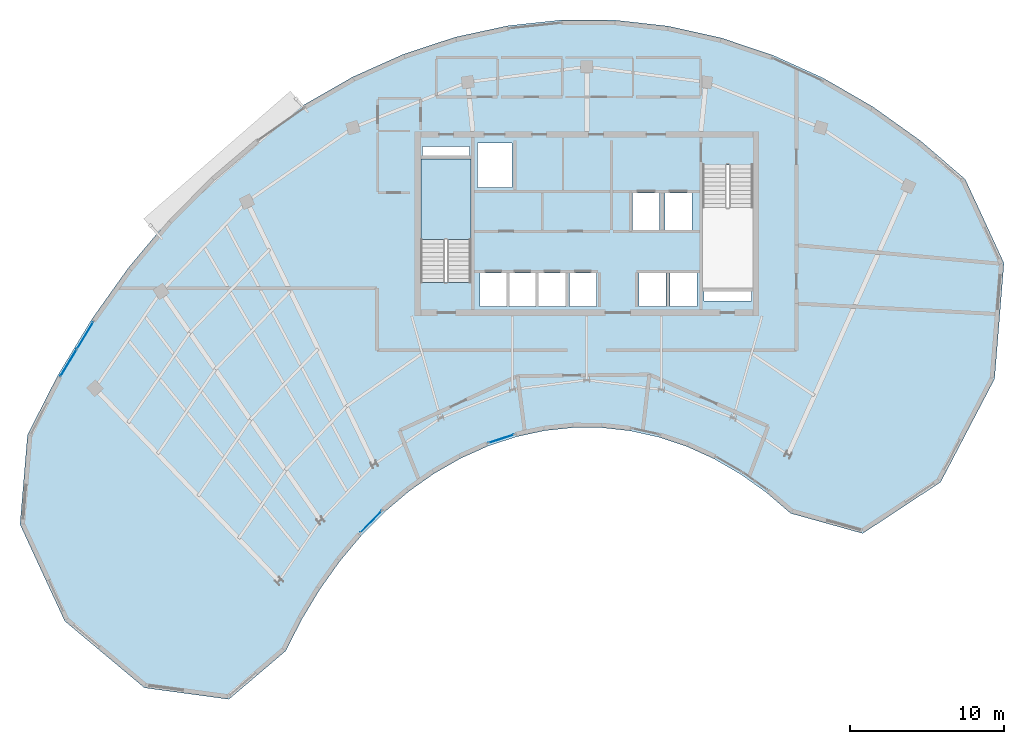
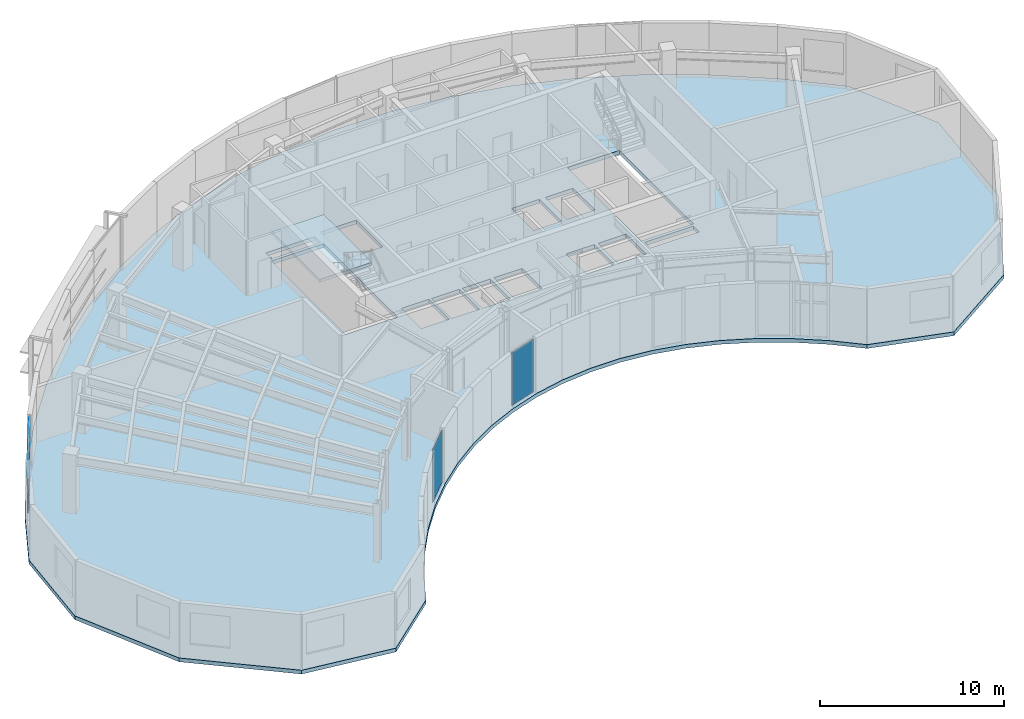
# One storey, part 6 of 12: 6 plates, 2 slabs, 4 elements without a shape of their own.
"""IFC4 building model written with IfcOpenShell, lengths in metres."""

import ifcopenshell
import ifcopenshell.guid

model = None  # the IFC model being written
_history = None  # IfcOwnerHistory: only IFC2X3 demands one
_inside = {}  # id of a spatial element -> (the spatial element, [elements in it])
_under = {}  # id of a project, library or spatial element -> (it, [spatial elements below it])
_declared = {}  # id of a project -> (the project, [libraries it declares])
_typed = {}  # id of a type object -> (the type object, [elements of that type])
_made_of = {}  # id of a material, layer set ... -> (it, [elements and type objects made of it])


def new_model(schema):
    """Start an empty IFC model of exactly this schema.

    Asked for "IFC4X3", IfcOpenShell would pick the latest addendum, in which some entities
    have other attributes; the version numbers below select the first issue.
    IFC2X3 requires an IfcOwnerHistory on every rooted entity: one is made here for all.
    """
    global model, _history
    if schema == "IFC4X3":
        model = ifcopenshell.file(schema_version=(4, 3, 0, 0))
    else:
        model = ifcopenshell.file(schema=schema)
    _inside.clear()
    _under.clear()
    _declared.clear()
    _typed.clear()
    _made_of.clear()
    _history = None
    if model.schema == "IFC2X3":
        org = make("IfcOrganization", Name="unknown")
        user = make(
            "IfcPersonAndOrganization",
            ThePerson=make("IfcPerson", FamilyName="unknown"),
            TheOrganization=org,
        )
        app = make(
            "IfcApplication",
            ApplicationDeveloper=org,
            Version="unknown",
            ApplicationFullName="unknown",
            ApplicationIdentifier="unknown",
        )
        _history = make(
            "IfcOwnerHistory",
            OwningUser=user,
            OwningApplication=app,
            ChangeAction="ADDED",
            CreationDate=0,
        )
    return model


def make(cls, **values):
    """One entity of the class cls with the attributes given. An attribute that is None is left unset."""
    return model.create_entity(
        cls, **{name: value for name, value in values.items() if value is not None}
    )


def rooted(cls, **values):
    """An entity with a GlobalId (a new one), such as an element, a storey or a relation."""
    return make(cls, GlobalId=ifcopenshell.guid.new(), OwnerHistory=_history, **values)


def si_unit(unit_type, name, prefix=None):
    """IfcSIUnit, for example si_unit("LENGTHUNIT", "METRE", prefix="MILLI")."""
    return make("IfcSIUnit", UnitType=unit_type, Prefix=prefix, Name=name)


def assignment(units):
    """IfcUnitAssignment: the units of a project."""
    return None if units is None else make("IfcUnitAssignment", Units=units)


def point(xyz):
    """IfcCartesianPoint."""
    return None if xyz is None else make("IfcCartesianPoint", Coordinates=xyz)


def direction(xyz):
    """IfcDirection."""
    return None if xyz is None else make("IfcDirection", DirectionRatios=xyz)


def frame(location, z_axis=None, x_axis=None):
    """IfcAxis2Placement3D, a coordinate frame: its origin and axes. An axis left out is left unset."""
    return make(
        "IfcAxis2Placement3D",
        Location=point(location),
        Axis=direction(z_axis),
        RefDirection=direction(x_axis),
    )


def frame_2d(location, x_axis=None):
    """IfcAxis2Placement2D, a coordinate frame in the plane: its origin and x axis."""
    return make(
        "IfcAxis2Placement2D", Location=point(location), RefDirection=direction(x_axis)
    )


def origin():
    """The frame at (0, 0, 0) with its axes left unset."""
    return frame((0.0, 0.0, 0.0))


def origin_2d():
    """The frame at (0, 0) in the plane with its x axis left unset."""
    return frame_2d((0.0, 0.0))


def place(relative_to, where):
    """IfcLocalPlacement: puts the frame where relative to a parent placement (None: the world)."""
    return make(
        "IfcLocalPlacement", PlacementRelTo=relative_to, RelativePlacement=where
    )


def context(
    kind, dimensions, precision=None, world=None, true_north=None, identifier=None
):
    """IfcGeometricRepresentationContext, for example the 3D "Model" context."""
    return make(
        "IfcGeometricRepresentationContext",
        ContextIdentifier=identifier,
        ContextType=kind,
        CoordinateSpaceDimension=dimensions,
        Precision=precision,
        WorldCoordinateSystem=world,
        TrueNorth=true_north,
    )


def subcontext(parent, identifier, kind, view, scale=None):
    """IfcGeometricRepresentationSubContext, for example "Body" below "Model"."""
    return make(
        "IfcGeometricRepresentationSubContext",
        ContextIdentifier=identifier,
        ContextType=kind,
        ParentContext=parent,
        TargetScale=scale,
        TargetView=view,
    )


def project(units=None, contexts=None):
    """IfcProject with its units and contexts."""
    return rooted(
        "IfcProject",
        Name="project",
        RepresentationContexts=contexts,
        UnitsInContext=assignment(units),
    )


def spatial(cls, under=None, at=None, **own):
    """A site, building, storey or space (cls), placed at a placement, below another one or the project."""
    s = rooted(cls, ObjectPlacement=at, **own)
    if under is not None:
        _under.setdefault(under.id(), (under, []))[1].append(s)
    return s


def polyline(points):
    """IfcPolyline through the points."""
    return make("IfcPolyline", Points=[point(p) for p in points])


def profile(cls, at=None, kind="AREA", **sizes):
    """A parametric profile (cls). Its sizes go by their IFC names, for example OverallWidth=200.0."""
    return make(cls, ProfileType=kind, Position=at, **sizes)


def rectangle(**sizes):
    """IfcRectangleProfileDef."""
    return profile("IfcRectangleProfileDef", **sizes)


def outline(outer, holes=None, kind="AREA"):
    """IfcArbitraryClosedProfileDef: a profile drawn as a closed curve; with holes, ...WithVoids."""
    if holes is None:
        return make("IfcArbitraryClosedProfileDef", ProfileType=kind, OuterCurve=outer)
    return make(
        "IfcArbitraryProfileDefWithVoids",
        ProfileType=kind,
        OuterCurve=outer,
        InnerCurves=holes,
    )


def extrude(swept, where, along, depth):
    """IfcExtrudedAreaSolid: the profile swept, set in the frame where, extruded along a direction by depth."""
    return make(
        "IfcExtrudedAreaSolid",
        SweptArea=swept,
        Position=where,
        ExtrudedDirection=direction(along),
        Depth=depth,
    )


def shape(context_of_items, identifier, shape_type, items):
    """IfcShapeRepresentation: the items that make up one representation, for example the "Body"."""
    return make(
        "IfcShapeRepresentation",
        ContextOfItems=context_of_items,
        RepresentationIdentifier=identifier,
        RepresentationType=shape_type,
        Items=items,
    )


def source(mapping_origin, context_of_items, identifier, shape_type, items):
    """IfcRepresentationMap: a shape defined once, which mapped items show again and again."""
    return make(
        "IfcRepresentationMap",
        MappingOrigin=mapping_origin,
        MappedRepresentation=shape(context_of_items, identifier, shape_type, items),
    )


def transform(
    local_origin,
    x_axis=None,
    y_axis=None,
    z_axis=None,
    scale=None,
    scale2=None,
    scale3=None,
    uniform=True,
):
    """IfcCartesianTransformationOperator3D, or its non-uniform kind. x_axis, y_axis, z_axis: its Axis1, 2, 3."""
    if uniform:
        return make(
            "IfcCartesianTransformationOperator3D",
            Axis1=direction(x_axis),
            Axis2=direction(y_axis),
            LocalOrigin=point(local_origin),
            Scale=scale,
            Axis3=direction(z_axis),
        )
    return make(
        "IfcCartesianTransformationOperator3DnonUniform",
        Axis1=direction(x_axis),
        Axis2=direction(y_axis),
        LocalOrigin=point(local_origin),
        Scale=scale,
        Axis3=direction(z_axis),
        Scale2=scale2,
        Scale3=scale3,
    )


def mapped(mapping_source, mapping_target):
    """IfcMappedItem: shows the shape of a source again, moved by a transform."""
    return make(
        "IfcMappedItem", MappingSource=mapping_source, MappingTarget=mapping_target
    )


def material(Name=None, Category=None):
    """IfcMaterial."""
    return make("IfcMaterial", Name=Name, Category=Category)


def layer(
    of_material, thickness, ventilated=None, Name=None, Category=None, Priority=None
):
    """IfcMaterialLayer: one layer of a wall or slab, of a material (None: an air gap)."""
    return make(
        "IfcMaterialLayer",
        Material=of_material,
        LayerThickness=thickness,
        IsVentilated=ventilated,
        Name=Name,
        Category=Category,
        Priority=Priority,
    )


def layer_set(layers, Name=None):
    """IfcMaterialLayerSet."""
    return make("IfcMaterialLayerSet", MaterialLayers=layers, LayerSetName=Name)


def made_of(thing, what):
    """Note that an element or type object is made of a material, layer set ...; save() writes the relation."""
    if what is not None:
        _made_of.setdefault(what.id(), (what, []))[1].append(thing)
    return thing


def type_object(cls, material=None, **own):
    """A type object (cls), such as IfcWallType, which elements share."""
    return made_of(rooted(cls, **own), material)


def element(
    cls,
    number,
    at=None,
    inside=None,
    cuts=None,
    type_object=None,
    material=None,
    context=None,
    identifier="Body",
    shape_type=None,
    held_by="IfcProductDefinitionShape",
    body=None,
    shapes=None,
    **own,
):
    """One element of the class cls, such as IfcWall. Its Tag is "e" and its number.

    at: its placement. inside: the storey or other place that contains it. cuts: it is an
    opening in that element (IfcRelVoidsElement). A single representation is given by context,
    identifier, shape_type and body (its items); several are given by shapes. held_by: the class
    of the entity that holds the representations. save() writes the other relations.
    """
    e = rooted(cls, Tag="e%d" % number, ObjectPlacement=at, **own)
    if body is not None:
        shapes = [shape(context, identifier, shape_type, body)]
    if shapes is not None:
        e.Representation = make(held_by, Representations=shapes)
    if inside is not None:
        _inside.setdefault(inside.id(), (inside, []))[1].append(e)
    if cuts is not None:
        rooted(
            "IfcRelVoidsElement", RelatingBuildingElement=cuts, RelatedOpeningElement=e
        )
    if type_object is not None:
        _typed.setdefault(type_object.id(), (type_object, []))[1].append(e)
    return made_of(e, material)


def aggregate(whole, parts):
    """IfcRelAggregates: a whole, such as a stair, and the parts it consists of."""
    return rooted("IfcRelAggregates", RelatingObject=whole, RelatedObjects=parts)


def save(model, path):
    """Write the relations noted so far, then the file.

    IfcRelAggregates (storeys below a building ...), IfcRelContainedInSpatialStructure (elements
    in a storey), IfcRelDefinesByType, IfcRelAssociatesMaterial and IfcRelDeclares: one each for
    every whole, place, type object, material and project.
    """
    for whole, parts in _under.values():
        aggregate(whole, parts)
    for where, things in _inside.values():
        rooted(
            "IfcRelContainedInSpatialStructure",
            RelatedElements=things,
            RelatingStructure=where,
        )
    for kind, things in _typed.values():
        rooted("IfcRelDefinesByType", RelatedObjects=things, RelatingType=kind)
    for what, things in _made_of.values():
        rooted("IfcRelAssociatesMaterial", RelatedObjects=things, RelatingMaterial=what)
    for by, libraries in _declared.values():
        rooted("IfcRelDeclares", RelatingContext=by, RelatedDefinitions=libraries)
    model.write(path)


model = new_model("IFC4")

# Units and contexts
model_context = context("Model", 3, precision=1e-05, world=origin(), true_north=direction((0.0, 1.0)))
body_context = subcontext(model_context, "Body", "Model", "MODEL_VIEW")
ifc_project = project(units=[si_unit("LENGTHUNIT", "METRE"), si_unit("AREAUNIT", "SQUARE_METRE"), si_unit("VOLUMEUNIT", "CUBIC_METRE"), si_unit("PLANEANGLEUNIT", "RADIAN"), si_unit("MASSUNIT", "GRAM", prefix="KILO")], contexts=[model_context])

# Site, building, storey
site_placement = place(None, origin())
site = spatial("IfcSite", under=ifc_project, at=site_placement, CompositionType="ELEMENT")
building_placement = place(site_placement, origin())
building = spatial("IfcBuilding", under=site, at=building_placement, Name="Breltana Convention Tower", CompositionType="ELEMENT")
storey_placement = place(building_placement, frame((0.0, 0.0, 264.0)))
storey = spatial("IfcBuildingStorey", under=building, at=storey_placement, Name="L64", CompositionType="ELEMENT", Elevation=264.0)

# Slab
ifc_material_1 = material(Name="Concrete C40/50", Category="concrete")
ifc_layer_1 = layer(ifc_material_1, 0.25, Name="Concrete C40/50")
ifc_layer_set_1 = layer_set([ifc_layer_1], Name="Concrete C40/50")
slab_type_1 = type_object("IfcSlabType", Name="SL-OFF-250", PredefinedType="FLOOR", material=ifc_layer_set_1)
slab_1_placement = place(storey_placement, frame((0.0, 0.0, -0.25)))
element("IfcSlab", 1, at=slab_1_placement, inside=storey, type_object=slab_type_1, Name="L64 Suspended Structural Floor Slab", PredefinedType="FLOOR", context=body_context, shape_type="SweptSolid", body=[
    extrude(outline(polyline([(72.6064453125, 69.08984375), (69.676513671875, 71.60791015625), (66.60400390625, 73.79931640625), (63.408935546875, 75.64990234375), (60.1123046875, 77.147216796875), (56.736083984375, 78.281494140625), (53.302490234375, 79.045166015625), (49.833984375, 79.43359375), (46.353271484375, 79.443603515625), (42.88330078125, 79.07568359375), (39.447021484375, 78.33203125), (36.067138671875, 77.21728515625), (32.765869140625, 75.739501953125), (29.56494140625, 73.90771484375), (26.485107421875, 71.734130859375), (23.547119140625, 69.233154296875), (20.77001953125, 66.42138671875), (18.172119140625, 63.317138671875), (15.770751953125, 59.94091796875), (13.58154296875, 56.314697265625), (11.61865234375, 52.462890625), (11.1318359375, 46.6376953125), (14.03759765625, 40.35205078125), (19.2265625, 36.00732421875), (24.71630859375, 35.262939453125), (28.41015625, 38.403076171875), (29.466796875, 40.477294921875), (30.645751953125, 42.4296875), (31.93896484375, 44.247802734375), (33.337646484375, 45.919189453125), (34.8330078125, 47.433349609375), (36.4150390625, 48.77978515625), (38.073486328125, 49.9501953125), (39.797119140625, 50.9365234375), (41.57470703125, 51.732421875), (43.39453125, 52.33251953125), (45.244873046875, 52.73291015625), (47.11328125, 52.93115234375), (48.987548828125, 52.92578125), (50.855224609375, 52.716552734375), (52.7041015625, 52.305419921875), (54.522216796875, 51.694580078125), (56.297119140625, 50.888427734375), (58.017578125, 49.891845703125), (59.672119140625, 48.7119140625), (61.24951171875, 47.35595703125), (65.941162109375, 46.047119140625), (71.009521484375, 49.388916015625), (74.51904296875, 56.10498046875), (75.12890625, 63.6298828125), (72.6064453125, 69.08984375)]), holes=[polyline([(37.199951171875, 62.385009765625), (40.469970703125, 62.385009765625), (40.469970703125, 70.39990234375), (37.199951171875, 70.39990234375), (37.199951171875, 62.385009765625)]), polyline([(55.530029296875, 62.0), (58.800048828125, 62.0), (58.800048828125, 70.014892578125), (55.530029296875, 70.014892578125), (55.530029296875, 62.0)]), polyline([(41.0400390625, 60.800048828125), (42.800048828125, 60.800048828125), (42.800048828125, 62.97998046875), (41.0400390625, 62.97998046875), (41.0400390625, 60.800048828125)]), polyline([(42.93994140625, 60.800048828125), (44.699951171875, 60.800048828125), (44.699951171875, 62.97998046875), (42.93994140625, 62.97998046875), (42.93994140625, 60.800048828125)]), polyline([(44.8701171875, 60.800048828125), (46.6298828125, 60.800048828125), (46.6298828125, 62.97998046875), (44.8701171875, 62.97998046875), (44.8701171875, 60.800048828125)]), polyline([(46.8701171875, 60.800048828125), (48.6298828125, 60.800048828125), (48.6298828125, 62.97998046875), (46.8701171875, 62.97998046875), (46.8701171875, 60.800048828125)]), polyline([(51.39990234375, 60.800048828125), (53.159912109375, 60.800048828125), (53.159912109375, 62.97998046875), (51.39990234375, 62.97998046875), (51.39990234375, 60.800048828125)]), polyline([(53.39990234375, 60.800048828125), (55.159912109375, 60.800048828125), (55.159912109375, 62.97998046875), (53.39990234375, 62.97998046875), (53.39990234375, 60.800048828125)]), polyline([(50.969970703125, 65.800048828125), (52.72998046875, 65.800048828125), (52.72998046875, 68.179931640625), (50.969970703125, 68.179931640625), (50.969970703125, 65.800048828125)]), polyline([(53.070068359375, 65.800048828125), (54.830078125, 65.800048828125), (54.830078125, 68.179931640625), (53.070068359375, 68.179931640625), (53.070068359375, 65.800048828125)]), polyline([(40.8798828125, 68.550048828125), (43.1201171875, 68.550048828125), (43.1201171875, 71.449951171875), (40.8798828125, 71.449951171875), (40.8798828125, 68.550048828125)]), polyline([(37.300048828125, 70.60009765625), (40.3798828125, 70.60009765625), (40.3798828125, 71.219970703125), (37.300048828125, 71.219970703125), (37.300048828125, 70.60009765625)]), polyline([(55.6201171875, 61.179931640625), (58.699951171875, 61.179931640625), (58.699951171875, 61.800048828125), (55.6201171875, 61.800048828125), (55.6201171875, 61.179931640625)])]), origin(), (0.0, 0.0, 1.0), 0.25),
])

# Stair, slab
stair_type = type_object("IfcStairType", Name="ST-DOG-1560-R177", PredefinedType="HALF_TURN_STAIR", material=ifc_material_1)
stair_placement = place(storey_placement, origin())
stair = element("IfcStair", 2, at=stair_placement, inside=storey, type_object=stair_type, Name="L64 Protected Core Exit Stair ST-1", PredefinedType="HALF_TURN_STAIR")
ifc_layer_2 = layer(ifc_material_1, 0.199951171875, Name="Concrete C40/50")
ifc_layer_set_2 = layer_set([ifc_layer_2], Name="Concrete C40/50")
slab_type_2 = type_object("IfcSlabType", Name="SL-STAIR-LANDING-200", PredefinedType="LANDING", material=ifc_layer_set_2)
slab_2_placement = place(storey_placement, frame((0.0, 0.0, 1.75)))
slab_2 = element("IfcSlab", 3, at=slab_2_placement, type_object=slab_type_2, Name="ST-1 landing 1", PredefinedType="LANDING", context=body_context, shape_type="SweptSolid", body=[
    extrude(outline(polyline([(40.469970703125, 65.159912109375), (40.469970703125, 70.39990234375), (37.199951171875, 70.39990234375), (37.199951171875, 65.159912109375), (40.469970703125, 65.159912109375)])), origin(), (0.0, 0.0, 1.0), 0.199951171875),
])
aggregate(stair, [slab_2])

# Curtain wall, plates
ifc_material_2 = material(Name="Aluminium Anodised Bronze Frame", Category="aluminium")
ifc_layer_3 = layer(ifc_material_2, 0.22998046875, Name="Aluminium Anodised Bronze Frame")
ifc_layer_set_3 = layer_set([ifc_layer_3], Name="Aluminium Anodised Bronze Frame")
curtain_wall_type_1 = type_object("IfcCurtainWallType", Name="CW-SYS-5", PredefinedType="NOTDEFINED", material=ifc_layer_set_3)
curtain_wall_1_placement = place(storey_placement, origin())
curtain_wall_1 = element("IfcCurtainWall", 4, at=curtain_wall_1_placement, inside=storey, type_object=curtain_wall_type_1, Name="L64 outer double-skin inner glazing 1", PredefinedType="NOTDEFINED")
ifc_material_3 = material(Name="Glass Low-E Double Glazing", Category="glass")
ifc_layer_4 = layer(ifc_material_3, 0.035888671875, Name="Glass Low-E Double Glazing")
ifc_layer_set_4 = layer_set([ifc_layer_4], Name="Glass Low-E Double Glazing")
plate_type_1 = type_object("IfcPlateType", Name="CWP-IGU-36", PredefinedType="CURTAIN_PANEL", material=ifc_layer_set_4)
shared_shape_1 = source(origin(), body_context, "Body", "SweptSolid", [
    extrude(rectangle(XDim=2.00634765625, YDim=0.035888671875, at=origin_2d()), origin(), (0.0, 0.0, 1.0), 2.267578125),
])
plate_1_placement = place(storey_placement, frame((14.29345703125, 57.14599609375, 0.070068359375), z_axis=(0.0, 0.0, 1.0), x_axis=(0.516865496947, 0.85606662011, 0.0)))
plate_1 = element("IfcPlate", 5, at=plate_1_placement, type_object=plate_type_1, Name="CW-05 panel 1.1", PredefinedType="CURTAIN_PANEL", context=body_context, shape_type="MappedRepresentation", body=[
    mapped(shared_shape_1, transform((0.0, 0.0, 0.0), scale=1.0)),
])
plate_2_placement = place(storey_placement, frame((15.36669921875, 58.92333984375, 0.070068359375), z_axis=(0.0, 0.0, 1.0), x_axis=(0.516865496947, 0.85606662011, 0.0)))
plate_2 = element("IfcPlate", 6, at=plate_2_placement, type_object=plate_type_1, Name="CW-05 panel 2.1", PredefinedType="CURTAIN_PANEL", context=body_context, shape_type="MappedRepresentation", body=[
    mapped(shared_shape_1, transform((0.0, 0.0, 0.0), scale=1.0)),
])
shared_shape_2 = source(origin(), body_context, "Body", "SweptSolid", [
    extrude(rectangle(XDim=2.00634765625, YDim=0.035888671875, at=origin_2d()), origin(), (0.0, 0.0, 1.0), 1.172607421875),
])
plate_3_placement = place(storey_placement, frame((14.29345703125, 57.14599609375, 2.4072265625), z_axis=(0.0, 0.0, 1.0), x_axis=(0.516865496947, 0.85606662011, 0.0)))
plate_3 = element("IfcPlate", 7, at=plate_3_placement, type_object=plate_type_1, Name="CW-05 panel 1.2", PredefinedType="CURTAIN_PANEL", context=body_context, shape_type="MappedRepresentation", body=[
    mapped(shared_shape_2, transform((0.0, 0.0, 0.0), scale=1.0)),
])
plate_4_placement = place(storey_placement, frame((15.36669921875, 58.92333984375, 2.4072265625), z_axis=(0.0, 0.0, 1.0), x_axis=(0.516865496947, 0.85606662011, 0.0)))
plate_4 = element("IfcPlate", 8, at=plate_4_placement, type_object=plate_type_1, Name="CW-05 panel 2.2", PredefinedType="CURTAIN_PANEL", context=body_context, shape_type="MappedRepresentation", body=[
    mapped(shared_shape_2, transform((0.0, 0.0, 0.0), scale=1.0)),
])
aggregate(curtain_wall_1, [plate_1, plate_3, plate_2, plate_4])

# Curtain wall, plate
ifc_layer_5 = layer(ifc_material_2, 0.18994140625, Name="Aluminium Anodised Bronze Frame")
ifc_layer_set_5 = layer_set([ifc_layer_5], Name="Aluminium Anodised Bronze Frame")
curtain_wall_type_2 = type_object("IfcCurtainWallType", Name="CW-SYS-1", PredefinedType="NOTDEFINED", material=ifc_layer_set_5)
curtain_wall_2_placement = place(storey_placement, origin())
curtain_wall_2 = element("IfcCurtainWall", 9, at=curtain_wall_2_placement, inside=storey, type_object=curtain_wall_type_2, Name="L64 inner south-court glazing 4", PredefinedType="NOTDEFINED")
ifc_layer_6 = layer(ifc_material_3, 0.028076171875, Name="Glass Low-E Double Glazing")
ifc_layer_set_6 = layer_set([ifc_layer_6], Name="Glass Low-E Double Glazing")
plate_type_2 = type_object("IfcPlateType", Name="CWP-IGU-28", PredefinedType="CURTAIN_PANEL", material=ifc_layer_set_6)
shared_shape_3 = source(origin(), body_context, "Body", "SweptSolid", [
    extrude(rectangle(XDim=1.75634765625, YDim=0.028076171875, at=origin_2d()), origin(), (0.0, 0.0, 1.0), 3.489990234375),
])
plate_5_placement = place(storey_placement, frame((42.42822265625, 52.203369140625, 0.080078125), z_axis=(0.0, 0.0, 1.0), x_axis=(-0.949701147025, -0.31315767808, 0.0)))
plate_5 = element("IfcPlate", 10, at=plate_5_placement, type_object=plate_type_2, Name="CW-01 panel 1.1", PredefinedType="CURTAIN_PANEL", context=body_context, shape_type="MappedRepresentation", body=[
    mapped(shared_shape_3, transform((0.0, 0.0, 0.0), scale=1.0)),
])
aggregate(curtain_wall_2, [plate_5])

curtain_wall_3_placement = place(storey_placement, origin())
curtain_wall_3 = element("IfcCurtainWall", 11, at=curtain_wall_3_placement, inside=storey, type_object=curtain_wall_type_2, Name="L64 inner south-court glazing 5", PredefinedType="NOTDEFINED")
shared_shape_4 = source(origin(), body_context, "Body", "SweptSolid", [
    extrude(rectangle(XDim=1.968017578125, YDim=0.028076171875, at=origin_2d()), origin(), (0.0, 0.0, 1.0), 3.489990234375),
])
plate_6_placement = place(storey_placement, frame((33.957275390625, 46.802734375, 0.080078125), z_axis=(0.0, 0.0, 1.0), x_axis=(-0.702699497037, -0.711486765066, 0.0)))
plate_6 = element("IfcPlate", 12, at=plate_6_placement, type_object=plate_type_2, Name="CW-01 panel 1.1", PredefinedType="CURTAIN_PANEL", context=body_context, shape_type="MappedRepresentation", body=[
    mapped(shared_shape_4, transform((0.0, 0.0, 0.0), scale=1.0)),
])
aggregate(curtain_wall_3, [plate_6])

save(model, "model.ifc")
